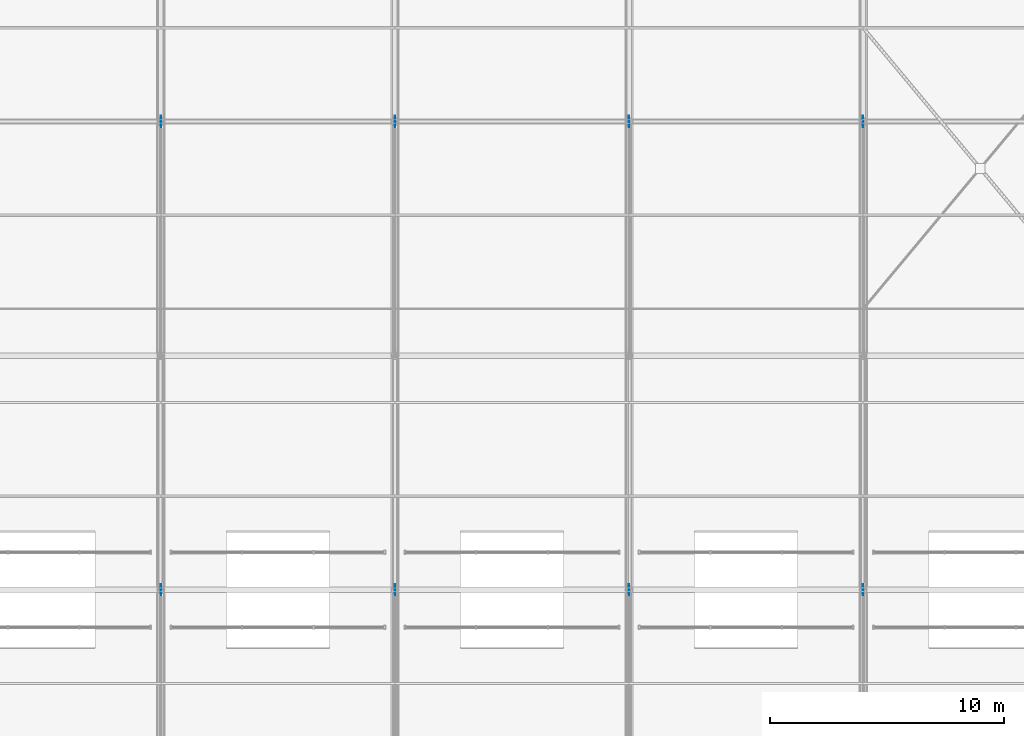
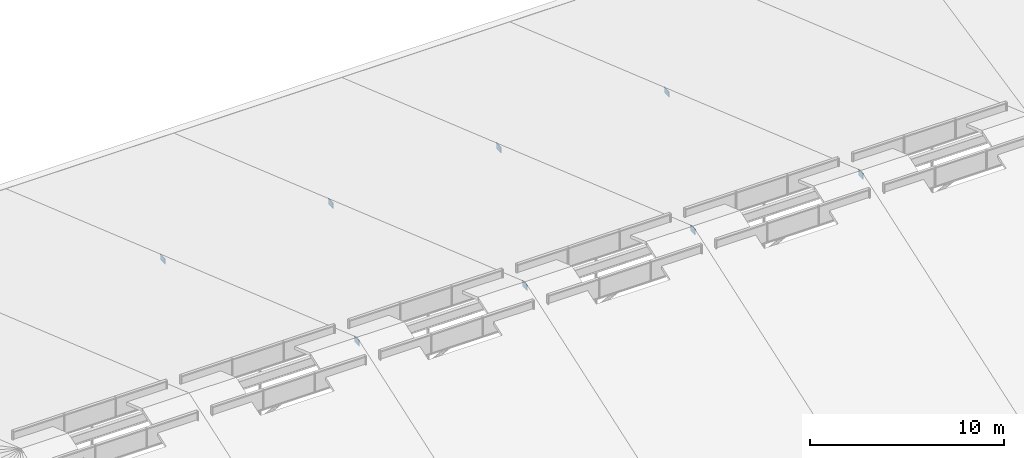
# One storey, part 88 of 93: 8 plates.
"""IFC4 building model written with IfcOpenShell, lengths in metres."""

from ifc_helpers import new_model, si_unit, derived_unit, direction, frame, origin, origin_2d_with_axis, place, context, subcontext, project, spatial, rectangle, extrude, material, layer, layer_set, type_object, element, save


model = new_model("IFC4")

# Units and contexts
model_context = context("Model", 3, precision=1e-05, world=origin(), true_north=direction((0.0, 1.0)))
body_context = subcontext(model_context, "Body", "Model", "MODEL_VIEW")
ifc_project = project(units=[si_unit("LENGTHUNIT", "METRE"), si_unit("AREAUNIT", "SQUARE_METRE"), si_unit("VOLUMEUNIT", "CUBIC_METRE"), si_unit("PLANEANGLEUNIT", "RADIAN"), si_unit("MASSUNIT", "GRAM", prefix="KILO"), derived_unit("THERMALTRANSMITTANCEUNIT", [(si_unit("POWERUNIT", "WATT"), 1), (si_unit("LENGTHUNIT", "METRE"), -2), (si_unit("THERMODYNAMICTEMPERATUREUNIT", "KELVIN"), -1)])], contexts=[model_context])

# Site, building, storey
site_placement = place(None, origin())
site = spatial("IfcSite", under=ifc_project, at=site_placement, CompositionType="ELEMENT")
building_placement = place(site_placement, origin())
building = spatial("IfcBuilding", under=site, at=building_placement, Name="Cinnabar Yard Market Hall", CompositionType="ELEMENT")
storey_placement = place(building_placement, frame((0.0, 0.0, 23.800048828125)))
storey = spatial("IfcBuildingStorey", under=building, at=storey_placement, Name="ROOF", CompositionType="ELEMENT", Elevation=23.800048828125)

# Plates
ifc_material = material(Name="Steel Grade 350 (350 MPa)", Category="steel")
ifc_layer_1 = layer(ifc_material, 0.360107421875)
ifc_layer_set_1 = layer_set([ifc_layer_1], Name="Steel Grade 350 (350 MPa)")
plate_type_1 = type_object("IfcPlateType", Name="PL-NP12", PredefinedType="SHEET", material=ifc_layer_set_1)
for number, where, z_axis, x_axis, name in (
    (1, (106.0, 64.0, -3.94140625), (0.0, 0.0, 1.0), (1.0, 0.0, 0.0), "Truss Node Gusset 106-5"),
    (2, (116.0, 64.0, -3.94140625), (0.0, 0.0, 1.0), (1.0, 0.0, 0.0), "Truss Node Gusset 116-5"),
    (3, (126.0, 64.0, -3.94140625), (0.0, 0.0, 1.0), (1.0, 0.0, 0.0), "Truss Node Gusset 126-5"),
    (4, (136.0, 64.0, -3.94140625), (0.0, 0.0, 1.0), (1.0, 0.0, 0.0), "Truss Node Gusset 136-5"),
):
    element("IfcPlate", number, at=place(storey_placement, frame(where, z_axis=z_axis, x_axis=x_axis)), inside=storey, type_object=plate_type_1, Name=name, PredefinedType="SHEET", context=body_context, shape_type="SweptSolid", body=[
        extrude(rectangle(XDim=0.02001953125, YDim=0.47998046875, at=origin_2d_with_axis()), origin(), (0.0, 0.0, 1.0), 0.360107421875),
    ])
ifc_layer_2 = layer(ifc_material, 0.360107421875)
ifc_layer_set_2 = layer_set([ifc_layer_2], Name="Steel Grade 350 (350 MPa)")
plate_type_2 = type_object("IfcPlateType", Name="PL-NP14", PredefinedType="SHEET", material=ifc_layer_set_2)
for number, where, z_axis, x_axis, name in (
    (5, (106.0, 44.0, 3.02001953125), (0.0, 0.0, 1.0), (1.0, 0.0, 0.0), "Truss Node Gusset 106-3"),
    (6, (116.0, 44.0, 3.02001953125), (0.0, 0.0, 1.0), (1.0, 0.0, 0.0), "Truss Node Gusset 116-3"),
    (7, (126.0, 44.0, 3.02001953125), (0.0, 0.0, 1.0), (1.0, 0.0, 0.0), "Truss Node Gusset 126-3"),
    (8, (136.0, 44.0, 3.02001953125), (0.0, 0.0, 1.0), (1.0, 0.0, 0.0), "Truss Node Gusset 136-3"),
):
    element("IfcPlate", number, at=place(storey_placement, frame(where, z_axis=z_axis, x_axis=x_axis)), inside=storey, type_object=plate_type_2, Name=name, PredefinedType="SHEET", context=body_context, shape_type="SweptSolid", body=[
        extrude(rectangle(XDim=0.02001953125, YDim=0.47998046875, at=origin_2d_with_axis()), origin(), (0.0, 0.0, 1.0), 0.360107421875),
    ])

save(model, "model.ifc")
